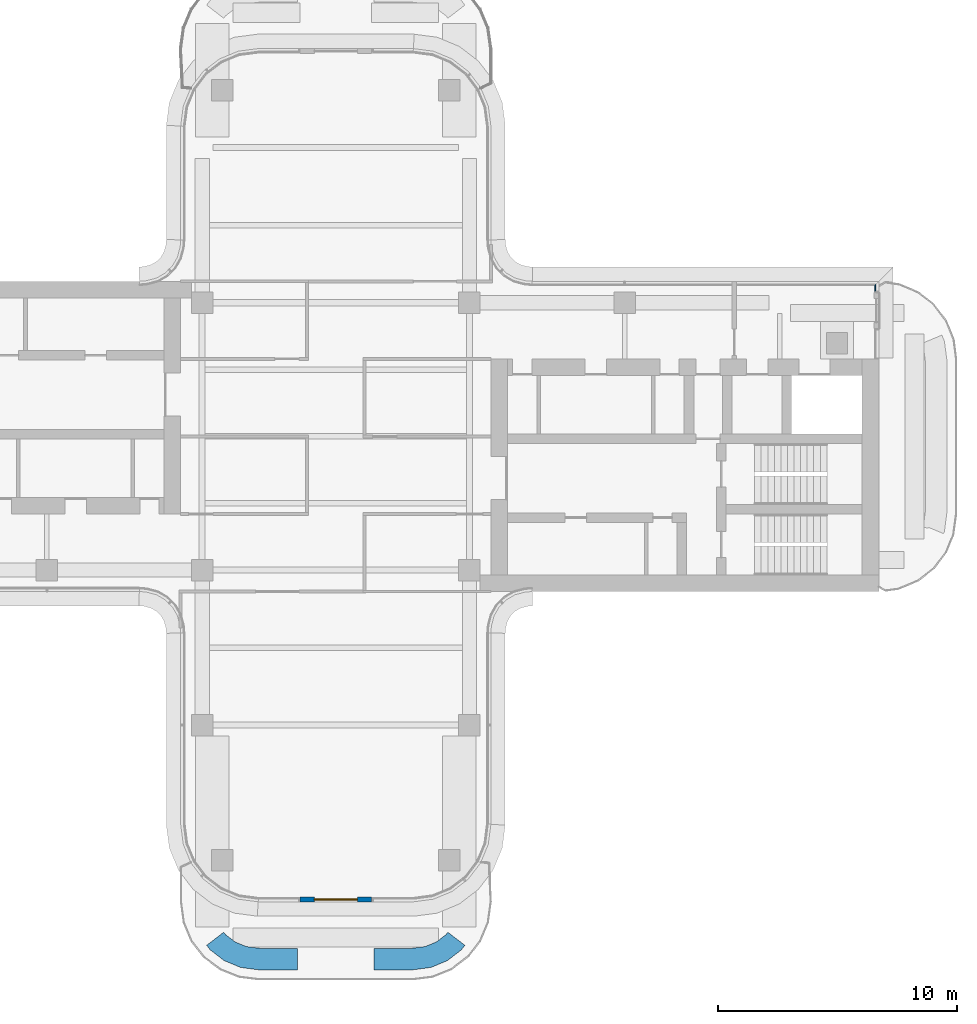
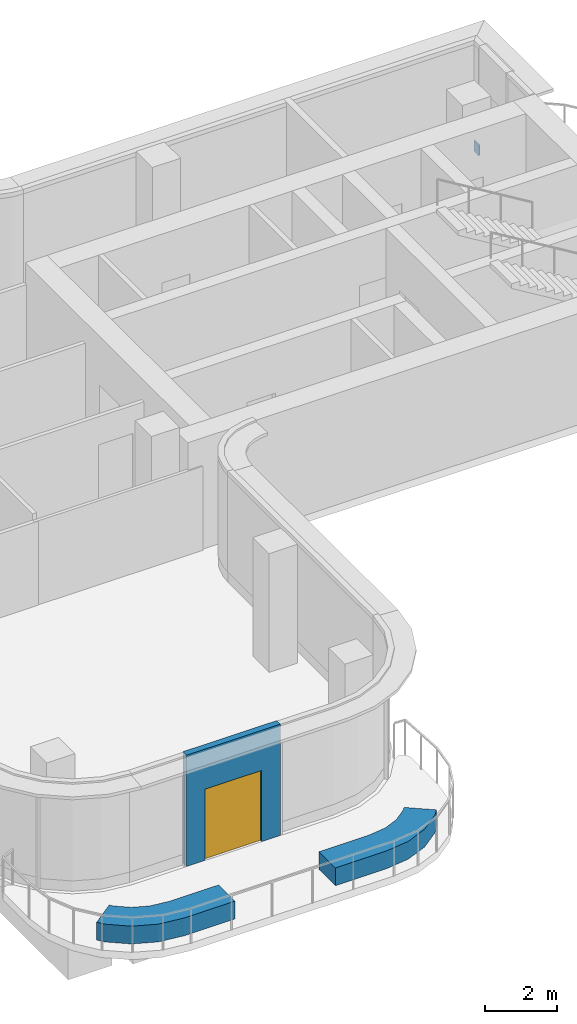
# One storey, part 13 of 18: 3 walls, 1 door, 1 plate, 1 opening, 1 element without a shape of its own.
"""IFC4 building model written with IfcOpenShell, lengths in metres."""

from ifc_helpers import new_model, si_unit, direction, frame, frame_2d, origin, place, context, subcontext, project, spatial, polyline, rectangle, outline, extrude, source, transform, mapped, material, layer, layer_set, type_object, element, fill, aggregate, save


model = new_model("IFC4")

# Units and contexts
model_context = context("Model", 3, precision=1e-05, world=origin(), true_north=direction((0.0, 1.0)))
body_context = subcontext(model_context, "Body", "Model", "MODEL_VIEW")
ifc_project = project(units=[si_unit("LENGTHUNIT", "METRE"), si_unit("AREAUNIT", "SQUARE_METRE"), si_unit("VOLUMEUNIT", "CUBIC_METRE"), si_unit("PLANEANGLEUNIT", "RADIAN"), si_unit("MASSUNIT", "GRAM", prefix="KILO")], contexts=[model_context])

# Site, building, storey
site_placement = place(None, origin())
site = spatial("IfcSite", under=ifc_project, at=site_placement, CompositionType="ELEMENT")
building_placement = place(site_placement, origin())
building = spatial("IfcBuilding", under=site, at=building_placement, Name="Trellis Farm Tower", CompositionType="ELEMENT")
storey_placement = place(building_placement, frame((0.0, 0.0, 338.10009765625)))
storey = spatial("IfcBuildingStorey", under=building, at=storey_placement, Name="L76", CompositionType="ELEMENT", Elevation=338.10009765625)

# Curtain wall, plate
ifc_material_1 = material(Name="Aluminium and glass curtain wall", Category="aluminium")
ifc_layer_1 = layer(ifc_material_1, 0.176025390625)
ifc_layer_set_1 = layer_set([ifc_layer_1], Name="CROWN LANTERN CURTAIN WALL CW5")
curtain_wall_type = type_object("IfcCurtainWallType", Name="CROWN LANTERN CURTAIN WALL CW5", PredefinedType="NOTDEFINED", material=ifc_layer_set_1)
placement = place(storey_placement, origin())
curtain_wall = element("IfcCurtainWall", 1, at=placement, inside=storey, type_object=curtain_wall_type, Name="CW5 007", PredefinedType="NOTDEFINED")
ifc_material_2 = material(Name="Sandstone faced insulated panel", Category="masonry")
ifc_layer_2 = layer(ifc_material_2, 0.044921875)
ifc_layer_set_2 = layer_set([ifc_layer_2], Name="CW5 STONE SPANDREL PANEL 45")
plate_type = type_object("IfcPlateType", Name="CW5 STONE SPANDREL PANEL 45", PredefinedType="CURTAIN_PANEL", material=ifc_layer_set_2)
plate = element("IfcPlate", 2, at=placement, type_object=plate_type, Name="PS5 007", PredefinedType="CURTAIN_PANEL", context=body_context, shape_type="SweptSolid", body=[
    extrude(outline(polyline([(22.6298828125, 6.080078125), (22.6298828125, 6.3798828125), (22.5849609375, 6.3349609375), (22.5849609375, 6.080078125), (22.6298828125, 6.080078125)])), origin(), (0.0, 0.0, 1.0), 0.349853515625),
])
aggregate(curtain_wall, [plate])

# Walls
ifc_material_3 = material(Name="Sandstone faced masonry planter", Category="masonry")
ifc_layer_3 = layer(ifc_material_3, 0.89990234375)
ifc_layer_set_3 = layer_set([ifc_layer_3], Name="TERRACE PLANTER BED 900")
wall_type_1 = type_object("IfcWallType", Name="TERRACE PLANTER BED 900", PredefinedType="USERDEFINED", material=ifc_layer_set_3)
element("IfcWall", 3, at=placement, inside=storey, type_object=wall_type_1, Name="PLANTER bed", ObjectType="PLANTER", PredefinedType="USERDEFINED", context=body_context, shape_type="SweptSolid", body=[
    extrude(outline(polyline([(-3.98681640625, -22.24951171875), (-4.67333984375, -21.965087890625), (-5.2626953125, -21.5126953125), (-5.40966796875, -21.321533203125), (-4.695556640625, -20.773681640625), (-4.620849609375, -20.870849609375), (-4.219482421875, -21.178955078125), (-3.751708984375, -21.372802734375), (-3.164794921875, -21.449951171875), (-1.60009765625, -21.449951171875), (-1.60009765625, -22.35009765625), (-3.223876953125, -22.35009765625), (-3.98681640625, -22.24951171875)])), origin(), (0.0, 0.0, 1.0), 0.599853515625),
])
element("IfcWall", 4, at=placement, inside=storey, type_object=wall_type_1, Name="PLANTER bed", ObjectType="PLANTER", PredefinedType="USERDEFINED", context=body_context, shape_type="SweptSolid", body=[
    extrude(outline(polyline([(4.67333984375, -21.965087890625), (3.98681640625, -22.24951171875), (3.223876953125, -22.35009765625), (1.60009765625, -22.35009765625), (1.60009765625, -21.449951171875), (3.164794921875, -21.449951171875), (3.751708984375, -21.372802734375), (4.219482421875, -21.178955078125), (4.620849609375, -20.870849609375), (4.695556640625, -20.773681640625), (5.40966796875, -21.321533203125), (5.2626953125, -21.5126953125), (4.67333984375, -21.965087890625)])), origin(), (0.0, 0.0, 1.0), 0.599853515625),
])

# Wall, opening, door
ifc_material_4 = material(Name="Sandstone faced insulated wall", Category="masonry")
ifc_layer_4 = layer(ifc_material_4, 0.199951171875)
ifc_layer_set_4 = layer_set([ifc_layer_4], Name="EXTERNAL INFILL WALL 200")
wall_type_2 = type_object("IfcWallType", Name="EXTERNAL INFILL WALL 200", PredefinedType="SOLIDWALL", material=ifc_layer_set_4)
shared_shape_1 = source(origin(), body_context, "Body", "SweptSolid", [
    extrude(rectangle(XDim=3.0, YDim=0.199951171875, at=frame_2d((1.5, 0.0))), origin(), (0.0, 0.0, 1.0), 3.75),
])
wall_3_placement = place(storey_placement, frame((-1.5, -19.39990234375, 0.0), z_axis=(0.0, 0.0, 1.0), x_axis=(1.0, 0.0, 0.0)))
wall_3 = element("IfcWall", 5, at=wall_3_placement, inside=storey, type_object=wall_type_2, Name="EW1 01", PredefinedType="SOLIDWALL", context=body_context, shape_type="MappedRepresentation", body=[
    mapped(shared_shape_1, transform((0.0, 0.0, 0.0))),
])
shared_shape_2 = source(origin(), body_context, "Body", "SweptSolid", [
    extrude(rectangle(XDim=1.800048828125, YDim=2.39990234375, at=frame_2d((0.89990234375, 1.199951171875))), frame((0.0, 0.110107421875, 0.0), z_axis=(0.0, -1.0, 0.0), x_axis=(1.0, 0.0, 0.0)), (0.0, 0.0, 1.0), 0.22021484375),
])
opening_placement = place(wall_3_placement, frame((0.60009765625, 0.0, 0.0)))
opening = element("IfcOpeningElement", 6, at=opening_placement, cuts=wall_3, Name="Opening ED1", PredefinedType="OPENING", context=body_context, shape_type="MappedRepresentation", body=[
    mapped(shared_shape_2, transform((0.0, 0.0, 0.0))),
])
ifc_material_5 = material(Name="Aluminium framed glazed door", Category="aluminium")
door_type = type_object("IfcDoorType", Name="BALCONY DOOR 1800x2400", OperationType="DOUBLE_DOOR_SINGLE_SWING", PredefinedType="DOOR", material=ifc_material_5)
shared_shape_3 = source(origin(), body_context, "Body", "SweptSolid", [
    extrude(rectangle(XDim=1.800048828125, YDim=2.39990234375, at=frame_2d((0.89990234375, 1.199951171875))), frame((0.0, 0.02490234375, 0.0), z_axis=(0.0, -1.0, 0.0), x_axis=(1.0, 0.0, 0.0)), (0.0, 0.0, 1.0), 0.050048828125),
])
door_placement = place(opening_placement, origin())
door = element("IfcDoor", 7, at=door_placement, inside=storey, type_object=door_type, Name="Balcony door", OperationType="DOUBLE_DOOR_SINGLE_SWING", OverallHeight=2.39990234375, OverallWidth=1.800048828125, PredefinedType="DOOR", context=body_context, shape_type="MappedRepresentation", body=[
    mapped(shared_shape_3, transform((0.0, 0.0, 0.0))),
])
fill(opening, door)

save(model, "model.ifc")
